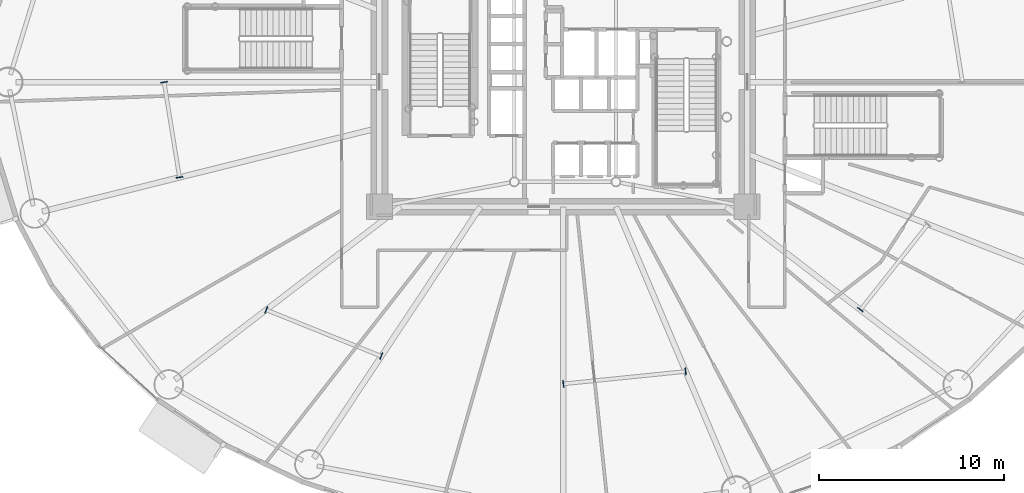
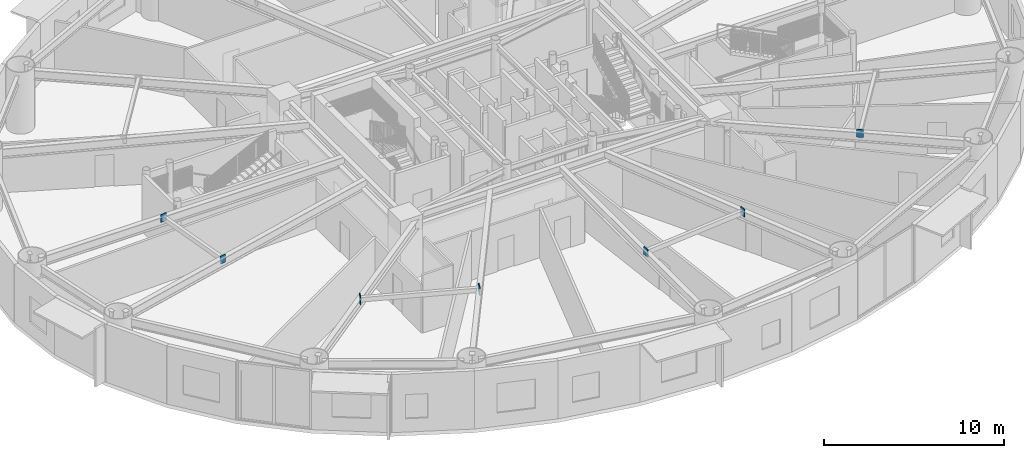
# One storey, part 13 of 32: 7 plates.
"""IFC4 building model written with IfcOpenShell, lengths in metres."""

from ifc_helpers import new_model, si_unit, direction, frame, origin, origin_2d, place, context, subcontext, project, spatial, rectangle, extrude, source, transform, mapped, material, layer, layer_set, type_object, element, save


model = new_model("IFC4")

# Units and contexts
model_context = context("Model", 3, precision=1e-05, world=origin(), true_north=direction((0.0, 1.0)))
body_context = subcontext(model_context, "Body", "Model", "MODEL_VIEW")
ifc_project = project(units=[si_unit("LENGTHUNIT", "METRE"), si_unit("AREAUNIT", "SQUARE_METRE"), si_unit("VOLUMEUNIT", "CUBIC_METRE"), si_unit("PLANEANGLEUNIT", "RADIAN"), si_unit("MASSUNIT", "GRAM", prefix="KILO")], contexts=[model_context])

# Site, building, storey
site_placement = place(None, origin())
site = spatial("IfcSite", under=ifc_project, at=site_placement, CompositionType="ELEMENT")
building_placement = place(site_placement, origin())
building = spatial("IfcBuilding", under=site, at=building_placement, Name="Linh Dai School and Residence Tower", CompositionType="ELEMENT")
storey_placement = place(building_placement, frame((0.0, 0.0, 53.39990234375)))
storey = spatial("IfcBuildingStorey", under=building, at=storey_placement, Name="L12", CompositionType="ELEMENT", Elevation=53.39990234375)

# Plates
ifc_material = material(Name="Structural Steel S355JR", Category="steel")
ifc_layer = layer(ifc_material, 0.0400390625)
ifc_layer_set = layer_set([ifc_layer], Name="Structural Steel S355JR")
plate_type = type_object("IfcPlateType", Name="PLT-GP1", PredefinedType="USERDEFINED", material=ifc_layer_set)
shared_shape = source(origin(), body_context, "Body", "SweptSolid", [
    extrude(rectangle(XDim=0.0400390625, YDim=0.3798828125, at=origin_2d()), origin(), (0.0, 0.0, 1.0), 0.5400390625),
])
for number, where, z_axis, x_axis, name in (
    (1, (14.392822265625, 26.9951171875, 3.530029296875), (0.0, 0.0, 1.0), (0.159659022119, -0.987172222389, 0.0), "L12 Secondary Beam End Plate 05A"),
    (2, (15.225830078125, 21.84375, 3.530029296875), (0.0, 0.0, 1.0), (0.159659022119, -0.987172222389, 0.0), "L12 Secondary Beam End Plate 05B"),
    (3, (19.921875, 14.6689453125, 3.530029296875), (0.0, 0.0, 1.0), (0.927536459105, -0.373732681245, 0.0), "L12 Secondary Beam End Plate 06A"),
    (4, (26.1455078125, 12.161376953125, 3.530029296875), (0.0, 0.0, 1.0), (0.927536459105, -0.373732681245, 0.0), "L12 Secondary Beam End Plate 06B"),
    (5, (36.0048828125, 10.6630859375, 3.530029296875), (0.0, 0.0, 1.0), (0.994884100574, 0.101022900497, 0.0), "L12 Secondary Beam End Plate 07A"),
    (6, (42.621826171875, 11.3349609375, 3.530029296875), (0.0, 0.0, 1.0), (0.994884100574, 0.101022900497, 0.0), "L12 Secondary Beam End Plate 07B"),
    (7, (52.085693359375, 14.6748046875, 3.530029296875), (0.0, 0.0, 1.0), (0.620177637481, 0.784461406297, 0.0), "L12 Secondary Beam End Plate 08A"),
):
    element("IfcPlate", number, at=place(storey_placement, frame(where, z_axis=z_axis, x_axis=x_axis)), inside=storey, type_object=plate_type, Name=name, ObjectType="GUSSET PLATE", PredefinedType="USERDEFINED", context=body_context, shape_type="MappedRepresentation", body=[
        mapped(shared_shape, transform((0.0, 0.0, 0.0), x_axis=(1.0, 0.0, 0.0), y_axis=(0.0, 1.0, 0.0), z_axis=(0.0, 0.0, 1.0), scale=1.0)),
    ])

save(model, "model.ifc")
